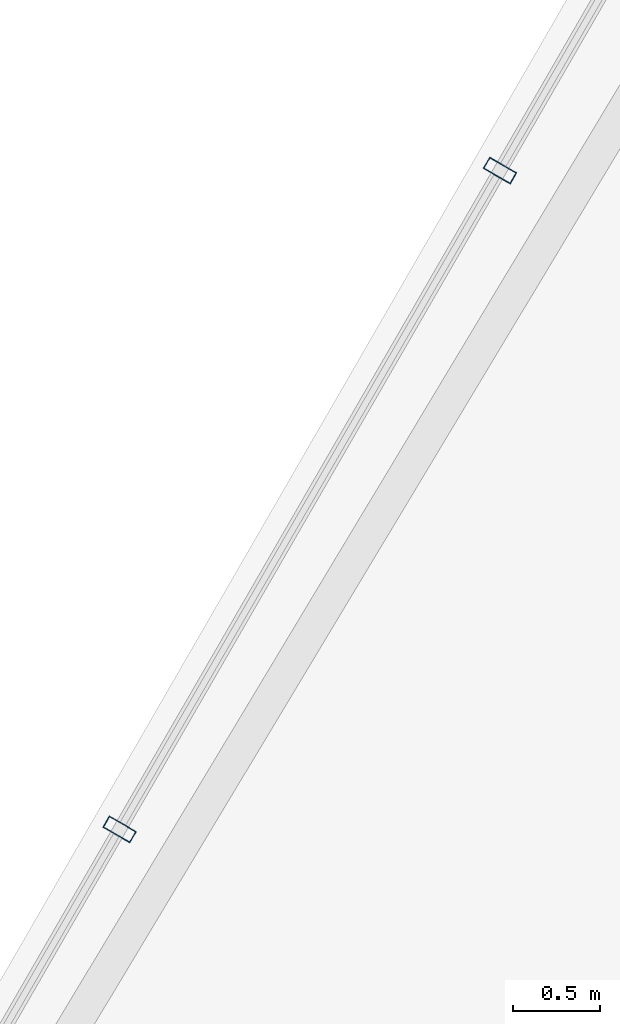
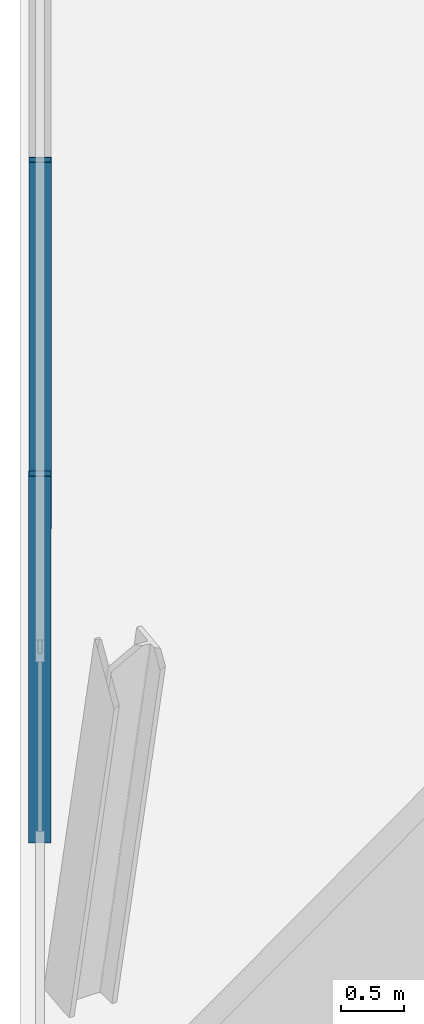
# One storey, part 12 of 29: 2 members, 1 element without a shape of its own.
"""IFC4 building model written with IfcOpenShell, lengths in metres."""

from ifc_helpers import new_model, si_unit, direction, frame, origin, origin_2d, place, context, subcontext, project, spatial, hollow_rectangle, extrude, material, layer, layer_set, material_profile, profile_set, type_object, element, aggregate, save


model = new_model("IFC4")

# Units and contexts
model_context = context("Model", 3, precision=1e-05, world=origin(), true_north=direction((0.0, 1.0)))
body_context = subcontext(model_context, "Body", "Model", "MODEL_VIEW")
ifc_project = project(units=[si_unit("LENGTHUNIT", "METRE"), si_unit("AREAUNIT", "SQUARE_METRE"), si_unit("VOLUMEUNIT", "CUBIC_METRE"), si_unit("PLANEANGLEUNIT", "RADIAN"), si_unit("MASSUNIT", "GRAM", prefix="KILO")], contexts=[model_context])

# Site, building, storey
site_placement = place(None, origin())
site = spatial("IfcSite", under=ifc_project, at=site_placement, CompositionType="ELEMENT")
building_placement = place(site_placement, origin())
building = spatial("IfcBuilding", under=site, at=building_placement, Name="Ndaravel Arena Tower", CompositionType="ELEMENT")
storey_placement = place(building_placement, frame((0.0, 0.0, 248.39990234375)))
storey = spatial("IfcBuildingStorey", under=building, at=storey_placement, Name="L60", CompositionType="ELEMENT", Elevation=248.39990234375)

# Curtain wall, members
ifc_material_1 = material(Name="Aluminium", Category="aluminium")
ifc_layer = layer(ifc_material_1, 0.179931640625)
ifc_layer_set = layer_set([ifc_layer], Name="Aluminium")
curtain_wall_type = type_object("IfcCurtainWallType", Name="CW-SYS-03", PredefinedType="NOTDEFINED", material=ifc_layer_set)
curtain_wall_placement = place(storey_placement, origin())
curtain_wall = element("IfcCurtainWall", 1, at=curtain_wall_placement, inside=storey, type_object=curtain_wall_type, Name="L60 Faceted Crystal Curtain Wall CW-L60-E05", PredefinedType="NOTDEFINED")
ifc_material_2 = material(Name="Aluminium", Category="aluminium")
ifc_material_profile = material_profile(ifc_material_2, hollow_rectangle(XDim=0.074951171875, YDim=0.179931640625, WallThickness=0.00390625, at=origin_2d()), Name="CW MULLION 75x180x4")
ifc_profile_set = profile_set([ifc_material_profile], Name="Aluminium")
member_type = type_object("IfcMemberType", Name="MEM-CW-MUL180", PredefinedType="MULLION", material=ifc_profile_set)
member_1_placement = place(storey_placement, frame((32.13232421875, 33.620361328125, 0.0), z_axis=(0.0, 0.0, 1.0), x_axis=(-0.5, -0.866025403784, 0.0)))
member_1 = element("IfcMember", 2, at=member_1_placement, type_object=member_type, Name="CW-L60-E05 Mullion 03", PredefinedType="MULLION", context=body_context, shape_type="SweptSolid", body=[
    extrude(hollow_rectangle(XDim=0.074951171875, YDim=0.179931640625, WallThickness=0.00390625, at=origin_2d()), origin(), (0.0, 0.0, 1.0), 3.580078125),
])
member_2_placement = place(storey_placement, frame((29.9443359375, 29.830810546875, 0.0), z_axis=(0.0, 0.0, 1.0), x_axis=(-0.5, -0.866025403784, 0.0)))
member_2 = element("IfcMember", 3, at=member_2_placement, type_object=member_type, Name="CW-L60-E05 Mullion 04", PredefinedType="MULLION", context=body_context, shape_type="SweptSolid", body=[
    extrude(hollow_rectangle(XDim=0.074951171875, YDim=0.179931640625, WallThickness=0.00390625, at=origin_2d()), origin(), (0.0, 0.0, 1.0), 3.580078125),
])
aggregate(curtain_wall, [member_1, member_2])

save(model, "model.ifc")
